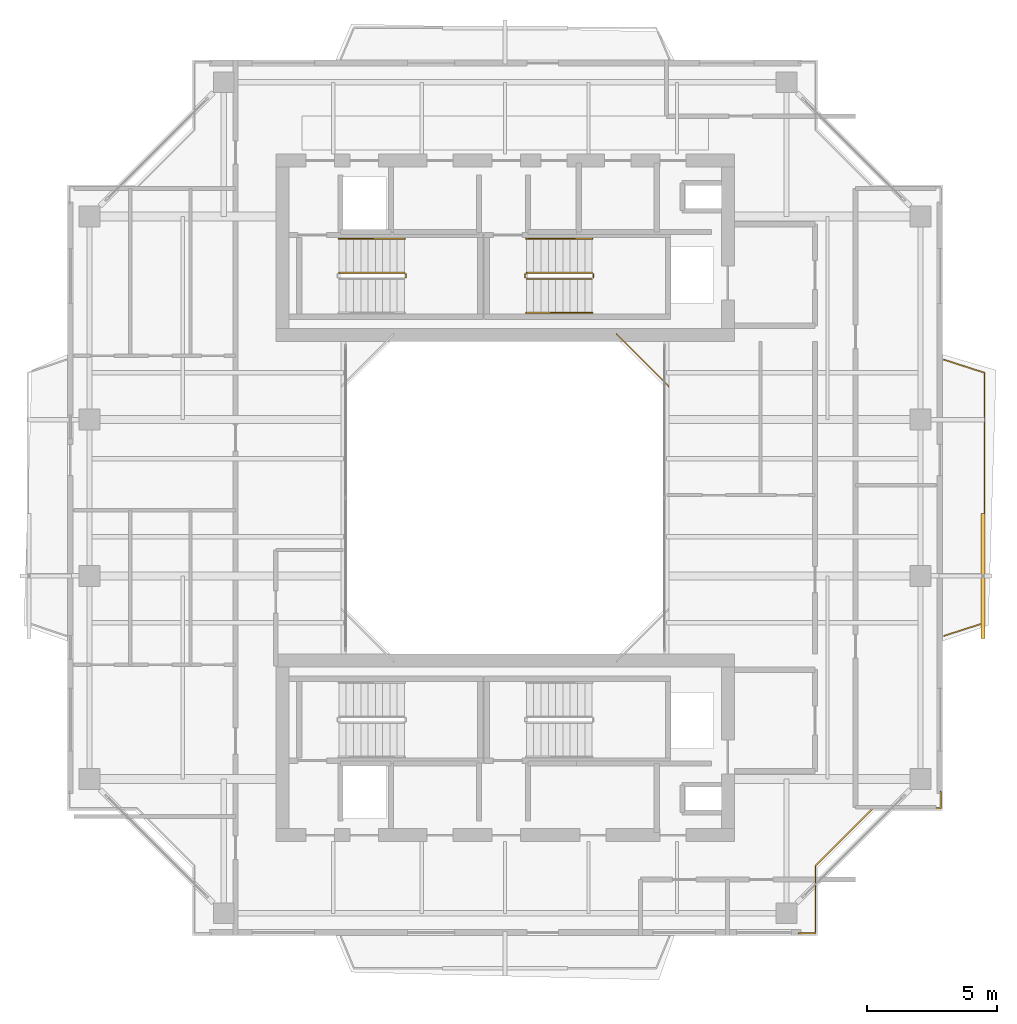
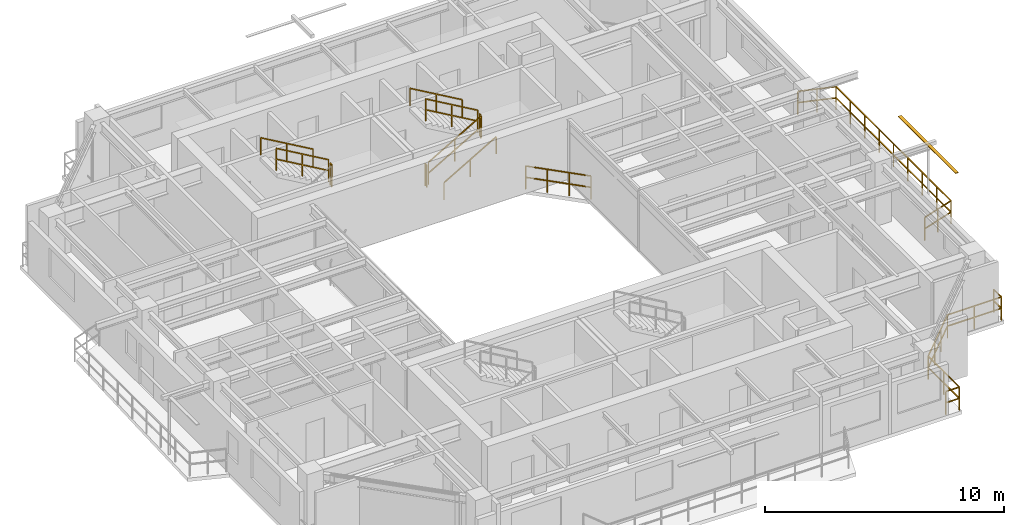
# One storey, part 15 of 16: 12 railings, 1 shading device.
"""IFC4 building model written with IfcOpenShell, lengths in metres."""

from ifc_helpers import new_model, si_unit, direction, frame, origin, origin_2d, place, context, subcontext, project, spatial, rectangle, extrude, source, transform, mapped, material, material_profile, profile_set, type_object, element, save


model = new_model("IFC4")

# Units and contexts
model_context = context("Model", 3, precision=1e-05, world=origin(), true_north=direction((0.0, 1.0)))
body_context = subcontext(model_context, "Body", "Model", "MODEL_VIEW")
ifc_project = project(units=[si_unit("LENGTHUNIT", "METRE"), si_unit("AREAUNIT", "SQUARE_METRE"), si_unit("VOLUMEUNIT", "CUBIC_METRE"), si_unit("PLANEANGLEUNIT", "RADIAN"), si_unit("MASSUNIT", "GRAM", prefix="KILO"), si_unit("THERMODYNAMICTEMPERATUREUNIT", "KELVIN"), si_unit("POWERUNIT", "WATT")], contexts=[model_context])

# Site, building, storey
site_placement = place(None, origin())
site = spatial("IfcSite", under=ifc_project, at=site_placement, CompositionType="ELEMENT")
building_placement = place(site_placement, origin())
building = spatial("IfcBuilding", under=site, at=building_placement, Name="Qiaomeng Ring Towers", CompositionType="ELEMENT")
storey_placement = place(building_placement, frame((0.0, 0.0, 197.0)))
storey = spatial("IfcBuildingStorey", under=building, at=storey_placement, Name="L57", CompositionType="ELEMENT", Elevation=197.0)

# Railings
ifc_material_1 = material(Name="Low-E pale-green laminated safety glass", Category="glass")
railing_type_1 = type_object("IfcRailingType", Name="ARC-RL-BAL1", PredefinedType="BALUSTRADE", material=ifc_material_1)
railing_1_placement = place(storey_placement, frame((25.280029296875, 27.280029296875, 0.0)))
element("IfcRailing", 1, at=railing_1_placement, inside=storey, type_object=railing_type_1, Name="L57 Balustrade ARC-BAL-WELL1-L57-2", PredefinedType="BALUSTRADE", context=body_context, shape_type="SweptSolid", body=[
    extrude(rectangle(XDim=0.048095703125, YDim=0.048095703125, at=origin_2d()), frame((0.0, 0.0, 1.17578125), z_axis=(-0.707106781187, 0.707106781187, 0.0), x_axis=(-0.707106781187, -0.707106781187, 0.0)), (0.0, 0.0, 1.0), 2.828369140625),
    extrude(rectangle(XDim=0.048095703125, YDim=0.048095703125, at=origin_2d()), frame((0.0, 0.0, 0.60009765625), z_axis=(-0.707106781187, 0.707106781187, 0.0), x_axis=(-0.707106781187, -0.707106781187, 0.0)), (0.0, 0.0, 1.0), 2.828369140625),
    extrude(rectangle(XDim=0.0419921875, YDim=0.0419921875, at=origin_2d()), origin(), (0.0, 0.0, 1.0), 1.15185546875),
    extrude(rectangle(XDim=0.0419921875, YDim=0.0419921875, at=origin_2d()), frame((-0.666748046875, 0.666748046875, 0.0)), (0.0, 0.0, 1.0), 1.15185546875),
    extrude(rectangle(XDim=0.0419921875, YDim=0.0419921875, at=origin_2d()), frame((-1.333251953125, 1.333251953125, 0.0)), (0.0, 0.0, 1.0), 1.15185546875),
    extrude(rectangle(XDim=0.0419921875, YDim=0.0419921875, at=origin_2d()), frame((-2.0, 2.0, 0.0)), (0.0, 0.0, 1.0), 1.15185546875),
])
railing_2_placement = place(storey_placement, frame((30.27001953125, 6.280029296875, 0.0)))
element("IfcRailing", 2, at=railing_2_placement, inside=storey, type_object=railing_type_1, Name="L57 Balustrade ARC-BAL-NOTCH1-L57-SE", PredefinedType="BALUSTRADE", context=body_context, shape_type="SweptSolid", body=[
    extrude(rectangle(XDim=0.048095703125, YDim=0.048095703125, at=origin_2d()), frame((0.0, 0.0, 1.17578125), z_axis=(1.0, 0.0, 0.0), x_axis=(0.0, 1.0, 0.0)), (0.0, 0.0, 1.0), 0.64990234375),
    extrude(rectangle(XDim=0.048095703125, YDim=0.048095703125, at=origin_2d()), frame((0.0, 0.0, 0.60009765625), z_axis=(1.0, 0.0, 0.0), x_axis=(0.0, 1.0, 0.0)), (0.0, 0.0, 1.0), 0.64990234375),
    extrude(rectangle(XDim=0.048095703125, YDim=0.048095703125, at=origin_2d()), frame((0.64990234375, 0.0, 1.17578125), z_axis=(0.0, 1.0, 0.0), x_axis=(-1.0, 0.0, 0.0)), (0.0, 0.0, 1.0), 2.599853515625),
    extrude(rectangle(XDim=0.048095703125, YDim=0.048095703125, at=origin_2d()), frame((0.64990234375, 0.0, 0.60009765625), z_axis=(0.0, 1.0, 0.0), x_axis=(-1.0, 0.0, 0.0)), (0.0, 0.0, 1.0), 2.599853515625),
    extrude(rectangle(XDim=0.048095703125, YDim=0.048095703125, at=origin_2d()), frame((0.64990234375, 2.599853515625, 1.17578125), z_axis=(0.707106781187, 0.707106781187, 0.0), x_axis=(-0.707106781187, 0.707106781187, 0.0)), (0.0, 0.0, 1.0), 3.111572265625),
    extrude(rectangle(XDim=0.048095703125, YDim=0.048095703125, at=origin_2d()), frame((0.64990234375, 2.599853515625, 0.60009765625), z_axis=(0.707106781187, 0.707106781187, 0.0), x_axis=(-0.707106781187, 0.707106781187, 0.0)), (0.0, 0.0, 1.0), 3.111572265625),
    extrude(rectangle(XDim=0.048095703125, YDim=0.048095703125, at=origin_2d()), frame((2.85009765625, 4.800048828125, 1.17578125), z_axis=(1.0, 0.0, 0.0), x_axis=(0.0, 1.0, 0.0)), (0.0, 0.0, 1.0), 2.599853515625),
    extrude(rectangle(XDim=0.048095703125, YDim=0.048095703125, at=origin_2d()), frame((2.85009765625, 4.800048828125, 0.60009765625), z_axis=(1.0, 0.0, 0.0), x_axis=(0.0, 1.0, 0.0)), (0.0, 0.0, 1.0), 2.599853515625),
    extrude(rectangle(XDim=0.048095703125, YDim=0.048095703125, at=origin_2d()), frame((5.449951171875, 4.800048828125, 1.17578125), z_axis=(0.0, 1.0, 0.0), x_axis=(-1.0, 0.0, 0.0)), (0.0, 0.0, 1.0), 0.64990234375),
    extrude(rectangle(XDim=0.048095703125, YDim=0.048095703125, at=origin_2d()), frame((5.449951171875, 4.800048828125, 0.60009765625), z_axis=(0.0, 1.0, 0.0), x_axis=(-1.0, 0.0, 0.0)), (0.0, 0.0, 1.0), 0.64990234375),
    extrude(rectangle(XDim=0.0419921875, YDim=0.0419921875, at=origin_2d()), origin(), (0.0, 0.0, 1.0), 1.15185546875),
    extrude(rectangle(XDim=0.0419921875, YDim=0.0419921875, at=origin_2d()), frame((0.64990234375, 0.0, 0.0)), (0.0, 0.0, 1.0), 1.15185546875),
    extrude(rectangle(XDim=0.0419921875, YDim=0.0419921875, at=origin_2d()), frame((0.64990234375, 1.2998046875, 0.0)), (0.0, 0.0, 1.0), 1.15185546875),
    extrude(rectangle(XDim=0.0419921875, YDim=0.0419921875, at=origin_2d()), frame((0.64990234375, 2.599853515625, 0.0)), (0.0, 0.0, 1.0), 1.15185546875),
    extrude(rectangle(XDim=0.0419921875, YDim=0.0419921875, at=origin_2d()), frame((1.38330078125, 3.333251953125, 0.0)), (0.0, 0.0, 1.0), 1.15185546875),
    extrude(rectangle(XDim=0.0419921875, YDim=0.0419921875, at=origin_2d()), frame((2.11669921875, 4.066650390625, 0.0)), (0.0, 0.0, 1.0), 1.15185546875),
    extrude(rectangle(XDim=0.0419921875, YDim=0.0419921875, at=origin_2d()), frame((2.85009765625, 4.800048828125, 0.0)), (0.0, 0.0, 1.0), 1.15185546875),
    extrude(rectangle(XDim=0.0419921875, YDim=0.0419921875, at=origin_2d()), frame((4.14990234375, 4.800048828125, 0.0)), (0.0, 0.0, 1.0), 1.15185546875),
    extrude(rectangle(XDim=0.0419921875, YDim=0.0419921875, at=origin_2d()), frame((5.449951171875, 4.800048828125, 0.0)), (0.0, 0.0, 1.0), 1.15185546875),
    extrude(rectangle(XDim=0.0419921875, YDim=0.0419921875, at=origin_2d()), frame((5.449951171875, 5.449951171875, 0.0)), (0.0, 0.0, 1.0), 1.15185546875),
])
railing_3_placement = place(storey_placement, frame((35.85009765625, 17.699951171875, 0.0)))
element("IfcRailing", 3, at=railing_3_placement, inside=storey, type_object=railing_type_1, Name="L57 Balustrade ARC-BAL-L57-T1-E", PredefinedType="BALUSTRADE", context=body_context, shape_type="SweptSolid", body=[
    extrude(rectangle(XDim=0.048095703125, YDim=0.048095703125, at=origin_2d()), frame((0.0, 0.0, 1.17578125), z_axis=(0.951697313001, 0.307037822468, 0.0), x_axis=(-0.307037822468, 0.951697313001, 0.0)), (0.0, 0.0, 1.0), 1.62841796875),
    extrude(rectangle(XDim=0.048095703125, YDim=0.048095703125, at=origin_2d()), frame((0.0, 0.0, 0.60009765625), z_axis=(0.951697313001, 0.307037822468, 0.0), x_axis=(-0.307037822468, 0.951697313001, 0.0)), (0.0, 0.0, 1.0), 1.62841796875),
    extrude(rectangle(XDim=0.048095703125, YDim=0.048095703125, at=origin_2d()), frame((1.5498046875, 0.5, 1.17578125), z_axis=(0.0, 1.0, 0.0), x_axis=(-1.0, 0.0, 0.0)), (0.0, 0.0, 1.0), 9.60009765625),
    extrude(rectangle(XDim=0.048095703125, YDim=0.048095703125, at=origin_2d()), frame((1.5498046875, 0.5, 0.60009765625), z_axis=(0.0, 1.0, 0.0), x_axis=(-1.0, 0.0, 0.0)), (0.0, 0.0, 1.0), 9.60009765625),
    extrude(rectangle(XDim=0.048095703125, YDim=0.048095703125, at=origin_2d()), frame((1.5498046875, 10.10009765625, 1.17578125), z_axis=(-0.951697313001, 0.307037822468, 0.0), x_axis=(-0.307037822468, -0.951697313001, 0.0)), (0.0, 0.0, 1.0), 1.62841796875),
    extrude(rectangle(XDim=0.048095703125, YDim=0.048095703125, at=origin_2d()), frame((1.5498046875, 10.10009765625, 0.60009765625), z_axis=(-0.951697313001, 0.307037822468, 0.0), x_axis=(-0.307037822468, -0.951697313001, 0.0)), (0.0, 0.0, 1.0), 1.62841796875),
    extrude(rectangle(XDim=0.0419921875, YDim=0.0419921875, at=origin_2d()), origin(), (0.0, 0.0, 1.0), 1.15185546875),
    extrude(rectangle(XDim=0.0419921875, YDim=0.0419921875, at=origin_2d()), frame((0.77490234375, 0.25, 0.0)), (0.0, 0.0, 1.0), 1.15185546875),
    extrude(rectangle(XDim=0.0419921875, YDim=0.0419921875, at=origin_2d()), frame((1.5498046875, 0.5, 0.0)), (0.0, 0.0, 1.0), 1.15185546875),
    extrude(rectangle(XDim=0.0419921875, YDim=0.0419921875, at=origin_2d()), frame((1.5498046875, 1.699951171875, 0.0)), (0.0, 0.0, 1.0), 1.15185546875),
    extrude(rectangle(XDim=0.0419921875, YDim=0.0419921875, at=origin_2d()), frame((1.5498046875, 2.89990234375, 0.0)), (0.0, 0.0, 1.0), 1.15185546875),
    extrude(rectangle(XDim=0.0419921875, YDim=0.0419921875, at=origin_2d()), frame((1.5498046875, 4.10009765625, 0.0)), (0.0, 0.0, 1.0), 1.15185546875),
    extrude(rectangle(XDim=0.0419921875, YDim=0.0419921875, at=origin_2d()), frame((1.5498046875, 5.300048828125, 0.0)), (0.0, 0.0, 1.0), 1.15185546875),
    extrude(rectangle(XDim=0.0419921875, YDim=0.0419921875, at=origin_2d()), frame((1.5498046875, 6.5, 0.0)), (0.0, 0.0, 1.0), 1.15185546875),
    extrude(rectangle(XDim=0.0419921875, YDim=0.0419921875, at=origin_2d()), frame((1.5498046875, 7.7001953125, 0.0)), (0.0, 0.0, 1.0), 1.15185546875),
    extrude(rectangle(XDim=0.0419921875, YDim=0.0419921875, at=origin_2d()), frame((1.5498046875, 8.900146484375, 0.0)), (0.0, 0.0, 1.0), 1.15185546875),
    extrude(rectangle(XDim=0.0419921875, YDim=0.0419921875, at=origin_2d()), frame((1.5498046875, 10.10009765625, 0.0)), (0.0, 0.0, 1.0), 1.15185546875),
    extrude(rectangle(XDim=0.0419921875, YDim=0.0419921875, at=origin_2d()), frame((0.77490234375, 10.35009765625, 0.0)), (0.0, 0.0, 1.0), 1.15185546875),
    extrude(rectangle(XDim=0.0419921875, YDim=0.0419921875, at=origin_2d()), frame((0.0, 10.60009765625, 0.0)), (0.0, 0.0, 1.0), 1.15185546875),
])
ifc_material_2 = material(Name="Galvanised steel", Category="steel")
railing_type_2 = type_object("IfcRailingType", Name="ARC-RL-GUARD", PredefinedType="GUARDRAIL", material=ifc_material_2)
railing_4_placement = place(storey_placement, frame((15.18994140625, 31.449951171875, 1.625)))
element("IfcRailing", 4, at=railing_4_placement, inside=storey, type_object=railing_type_2, Name="L57 ST1 stair guard 2", PredefinedType="GUARDRAIL", context=body_context, shape_type="SweptSolid", body=[
    extrude(rectangle(XDim=0.048095703125, YDim=0.048095703125, at=origin_2d()), frame((0.0, 0.0, 1.1259765625), z_axis=(0.0, 1.0, 0.0), x_axis=(-1.0, 0.0, 0.0)), (0.0, 0.0, 1.0), 0.14013671875),
    extrude(rectangle(XDim=0.048095703125, YDim=0.048095703125, at=origin_2d()), frame((0.0, 0.0, 0.574951171875), z_axis=(0.0, 1.0, 0.0), x_axis=(-1.0, 0.0, 0.0)), (0.0, 0.0, 1.0), 0.14013671875),
    extrude(rectangle(XDim=0.0419921875, YDim=0.0419921875, at=origin_2d()), origin(), (0.0, 0.0, 1.0), 1.101806640625),
    extrude(rectangle(XDim=0.0419921875, YDim=0.0419921875, at=origin_2d()), frame((0.0, 0.14013671875, 0.0)), (0.0, 0.0, 1.0), 1.101806640625),
])
railing_5_placement = place(storey_placement, frame((15.139892578125, 31.639892578125, 1.78759765625)))
element("IfcRailing", 5, at=railing_5_placement, inside=storey, type_object=railing_type_2, Name="L57 ST1 stair guard 3", PredefinedType="GUARDRAIL", context=body_context, shape_type="SweptSolid", body=[
    extrude(rectangle(XDim=0.048095703125, YDim=0.048095703125, at=origin_2d()), frame((0.0, 0.0, 1.1259765625), z_axis=(-0.864892226395, 0.0, 0.501957604506), x_axis=(0.0, -1.0, 0.0)), (0.0, 0.0, 1.0), 2.913330078125),
    extrude(rectangle(XDim=0.048095703125, YDim=0.048095703125, at=origin_2d()), frame((0.0, 0.0, 0.574951171875), z_axis=(-0.864892226395, 0.0, 0.501957604506), x_axis=(0.0, -1.0, 0.0)), (0.0, 0.0, 1.0), 2.913330078125),
    extrude(rectangle(XDim=0.0419921875, YDim=0.0419921875, at=origin_2d()), origin(), (0.0, 0.0, 1.0), 1.101806640625),
    extrude(rectangle(XDim=0.0419921875, YDim=0.0419921875, at=origin_2d()), frame((-1.259765625, 0.0, 0.731201171875)), (0.0, 0.0, 1.0), 1.101806640625),
    extrude(rectangle(XDim=0.0419921875, YDim=0.0419921875, at=origin_2d()), frame((-2.519775390625, 0.0, 1.46240234375)), (0.0, 0.0, 1.0), 1.101806640625),
])
railing_6_placement = place(storey_placement, frame((19.820068359375, 31.39990234375, 0.16259765625)))
element("IfcRailing", 6, at=railing_6_placement, inside=storey, type_object=railing_type_2, Name="L57 ST2 stair guard 1", PredefinedType="GUARDRAIL", context=body_context, shape_type="SweptSolid", body=[
    extrude(rectangle(XDim=0.048095703125, YDim=0.048095703125, at=origin_2d()), frame((0.0, 0.0, 1.1259765625), z_axis=(0.864913338283, 0.0, 0.50192122615), x_axis=(0.0, 1.0, 0.0)), (0.0, 0.0, 1.0), 2.91357421875),
    extrude(rectangle(XDim=0.048095703125, YDim=0.048095703125, at=origin_2d()), frame((0.0, 0.0, 0.574951171875), z_axis=(0.864913338283, 0.0, 0.50192122615), x_axis=(0.0, 1.0, 0.0)), (0.0, 0.0, 1.0), 2.91357421875),
    extrude(rectangle(XDim=0.0419921875, YDim=0.0419921875, at=origin_2d()), origin(), (0.0, 0.0, 1.0), 1.101806640625),
    extrude(rectangle(XDim=0.0419921875, YDim=0.0419921875, at=origin_2d()), frame((1.260009765625, 0.0, 0.731201171875)), (0.0, 0.0, 1.0), 1.101806640625),
    extrude(rectangle(XDim=0.0419921875, YDim=0.0419921875, at=origin_2d()), frame((2.52001953125, 0.0, 1.46240234375)), (0.0, 0.0, 1.0), 1.101806640625),
])
railing_7_placement = place(storey_placement, frame((22.389892578125, 31.449951171875, 1.625)))
element("IfcRailing", 7, at=railing_7_placement, inside=storey, type_object=railing_type_2, Name="L57 ST2 stair guard 2", PredefinedType="GUARDRAIL", context=body_context, shape_type="SweptSolid", body=[
    extrude(rectangle(XDim=0.048095703125, YDim=0.048095703125, at=origin_2d()), frame((0.0, 0.0, 1.1259765625), z_axis=(0.0, 1.0, 0.0), x_axis=(-1.0, 0.0, 0.0)), (0.0, 0.0, 1.0), 0.14013671875),
    extrude(rectangle(XDim=0.048095703125, YDim=0.048095703125, at=origin_2d()), frame((0.0, 0.0, 0.574951171875), z_axis=(0.0, 1.0, 0.0), x_axis=(-1.0, 0.0, 0.0)), (0.0, 0.0, 1.0), 0.14013671875),
    extrude(rectangle(XDim=0.0419921875, YDim=0.0419921875, at=origin_2d()), origin(), (0.0, 0.0, 1.0), 1.101806640625),
    extrude(rectangle(XDim=0.0419921875, YDim=0.0419921875, at=origin_2d()), frame((0.0, 0.14013671875, 0.0)), (0.0, 0.0, 1.0), 1.101806640625),
])
railing_8_placement = place(storey_placement, frame((22.340087890625, 31.639892578125, 1.78759765625)))
element("IfcRailing", 8, at=railing_8_placement, inside=storey, type_object=railing_type_2, Name="L57 ST2 stair guard 3", PredefinedType="GUARDRAIL", context=body_context, shape_type="SweptSolid", body=[
    extrude(rectangle(XDim=0.048095703125, YDim=0.048095703125, at=origin_2d()), frame((0.0, 0.0, 1.1259765625), z_axis=(-0.864913338283, 0.0, 0.50192122615), x_axis=(0.0, -1.0, 0.0)), (0.0, 0.0, 1.0), 2.91357421875),
    extrude(rectangle(XDim=0.048095703125, YDim=0.048095703125, at=origin_2d()), frame((0.0, 0.0, 0.574951171875), z_axis=(-0.864913338283, 0.0, 0.50192122615), x_axis=(0.0, -1.0, 0.0)), (0.0, 0.0, 1.0), 2.91357421875),
    extrude(rectangle(XDim=0.0419921875, YDim=0.0419921875, at=origin_2d()), origin(), (0.0, 0.0, 1.0), 1.101806640625),
    extrude(rectangle(XDim=0.0419921875, YDim=0.0419921875, at=origin_2d()), frame((-1.260009765625, 0.0, 0.731201171875)), (0.0, 0.0, 1.0), 1.101806640625),
    extrude(rectangle(XDim=0.0419921875, YDim=0.0419921875, at=origin_2d()), frame((-2.52001953125, 0.0, 1.46240234375)), (0.0, 0.0, 1.0), 1.101806640625),
])
railing_9_placement = place(storey_placement, frame((19.77001953125, 31.449951171875, 0.0)))
element("IfcRailing", 9, at=railing_9_placement, inside=storey, type_object=railing_type_2, Name="L57 ST2 stair guard 4", PredefinedType="GUARDRAIL", context=body_context, shape_type="SweptSolid", body=[
    extrude(rectangle(XDim=0.048095703125, YDim=0.048095703125, at=origin_2d()), frame((0.0, 0.0, 1.1259765625), z_axis=(0.0, 1.0, 0.0), x_axis=(-1.0, 0.0, 0.0)), (0.0, 0.0, 1.0), 0.14013671875),
    extrude(rectangle(XDim=0.048095703125, YDim=0.048095703125, at=origin_2d()), frame((0.0, 0.0, 0.574951171875), z_axis=(0.0, 1.0, 0.0), x_axis=(-1.0, 0.0, 0.0)), (0.0, 0.0, 1.0), 0.14013671875),
    extrude(rectangle(XDim=0.0419921875, YDim=0.0419921875, at=origin_2d()), origin(), (0.0, 0.0, 1.0), 1.101806640625),
    extrude(rectangle(XDim=0.0419921875, YDim=0.0419921875, at=origin_2d()), frame((0.0, 0.14013671875, 0.0)), (0.0, 0.0, 1.0), 1.101806640625),
])
ifc_material_3 = material(Name="Stainless steel 316", Category="steel")
railing_type_3 = type_object("IfcRailingType", Name="ARC-RL-HAND", PredefinedType="HANDRAIL", material=ifc_material_3)
railing_10_placement = place(storey_placement, frame((15.139892578125, 32.93994140625, 1.78759765625)))
element("IfcRailing", 10, at=railing_10_placement, inside=storey, type_object=railing_type_3, Name="L57 ST1 stair handrail 2", PredefinedType="HANDRAIL", context=body_context, shape_type="SweptSolid", body=[
    extrude(rectangle(XDim=0.048095703125, YDim=0.048095703125, at=origin_2d()), frame((0.0, 0.0, 0.8759765625), z_axis=(-0.864892226395, 0.0, 0.501957604506), x_axis=(0.0, -1.0, 0.0)), (0.0, 0.0, 1.0), 2.913330078125),
    extrude(rectangle(XDim=0.0419921875, YDim=0.0419921875, at=origin_2d()), origin(), (0.0, 0.0, 1.0), 0.851806640625),
    extrude(rectangle(XDim=0.0419921875, YDim=0.0419921875, at=origin_2d()), frame((-1.259765625, 0.0, 0.731201171875)), (0.0, 0.0, 1.0), 0.851806640625),
    extrude(rectangle(XDim=0.0419921875, YDim=0.0419921875, at=origin_2d()), frame((-2.519775390625, 0.0, 1.46240234375)), (0.0, 0.0, 1.0), 0.851806640625),
])
railing_11_placement = place(storey_placement, frame((19.820068359375, 30.10009765625, 0.16259765625)))
element("IfcRailing", 11, at=railing_11_placement, inside=storey, type_object=railing_type_3, Name="L57 ST2 stair handrail 1", PredefinedType="HANDRAIL", context=body_context, shape_type="SweptSolid", body=[
    extrude(rectangle(XDim=0.048095703125, YDim=0.048095703125, at=origin_2d()), frame((0.0, 0.0, 0.8759765625), z_axis=(0.864913338283, 0.0, 0.50192122615), x_axis=(0.0, 1.0, 0.0)), (0.0, 0.0, 1.0), 2.91357421875),
    extrude(rectangle(XDim=0.0419921875, YDim=0.0419921875, at=origin_2d()), origin(), (0.0, 0.0, 1.0), 0.851806640625),
    extrude(rectangle(XDim=0.0419921875, YDim=0.0419921875, at=origin_2d()), frame((1.260009765625, 0.0, 0.731201171875)), (0.0, 0.0, 1.0), 0.851806640625),
    extrude(rectangle(XDim=0.0419921875, YDim=0.0419921875, at=origin_2d()), frame((2.52001953125, 0.0, 1.46240234375)), (0.0, 0.0, 1.0), 0.851806640625),
])
railing_12_placement = place(storey_placement, frame((22.340087890625, 32.93994140625, 1.78759765625)))
element("IfcRailing", 12, at=railing_12_placement, inside=storey, type_object=railing_type_3, Name="L57 ST2 stair handrail 2", PredefinedType="HANDRAIL", context=body_context, shape_type="SweptSolid", body=[
    extrude(rectangle(XDim=0.048095703125, YDim=0.048095703125, at=origin_2d()), frame((0.0, 0.0, 0.8759765625), z_axis=(-0.864913338283, 0.0, 0.50192122615), x_axis=(0.0, -1.0, 0.0)), (0.0, 0.0, 1.0), 2.91357421875),
    extrude(rectangle(XDim=0.0419921875, YDim=0.0419921875, at=origin_2d()), origin(), (0.0, 0.0, 1.0), 0.851806640625),
    extrude(rectangle(XDim=0.0419921875, YDim=0.0419921875, at=origin_2d()), frame((-1.260009765625, 0.0, 0.731201171875)), (0.0, 0.0, 1.0), 0.851806640625),
    extrude(rectangle(XDim=0.0419921875, YDim=0.0419921875, at=origin_2d()), frame((-2.52001953125, 0.0, 1.46240234375)), (0.0, 0.0, 1.0), 0.851806640625),
])

# Shading device
ifc_material_4 = material(Name="Fluorocarbon dark-grey aluminium", Category="aluminium")
ifc_material_profile = material_profile(ifc_material_4, rectangle(XDim=0.14990234375, YDim=0.034912109375, at=origin_2d()), Name="LV BLADE 150x35")
ifc_profile_set = profile_set([ifc_material_profile], Name="Fluorocarbon dark-grey aluminium")
shading_device_type = type_object("IfcShadingDeviceType", Name="ARC-SHD-SUN", PredefinedType="AWNING", material=ifc_profile_set)
shared_shape = source(origin(), body_context, "Body", "SweptSolid", [
    extrude(rectangle(XDim=0.14990234375, YDim=0.034912109375, at=origin_2d()), origin(), (0.0, 0.0, 1.0), 4.7998046875),
])
shading_device_placement = place(storey_placement, frame((37.35009765625, 17.60009765625, 2.969970703125), z_axis=(0.0, 1.0, 0.0), x_axis=(-1.0, 0.0, 0.0)))
element("IfcShadingDevice", 13, at=shading_device_placement, inside=storey, type_object=shading_device_type, Name="L57 Ventilated Outer-Skin Sunshade E", PredefinedType="AWNING", context=body_context, shape_type="MappedRepresentation", body=[
    mapped(shared_shape, transform((0.0, 0.0, 0.0), x_axis=(1.0, 0.0, 0.0), y_axis=(0.0, 1.0, 0.0), z_axis=(0.0, 0.0, 1.0), scale=1.0)),
])

save(model, "model.ifc")
